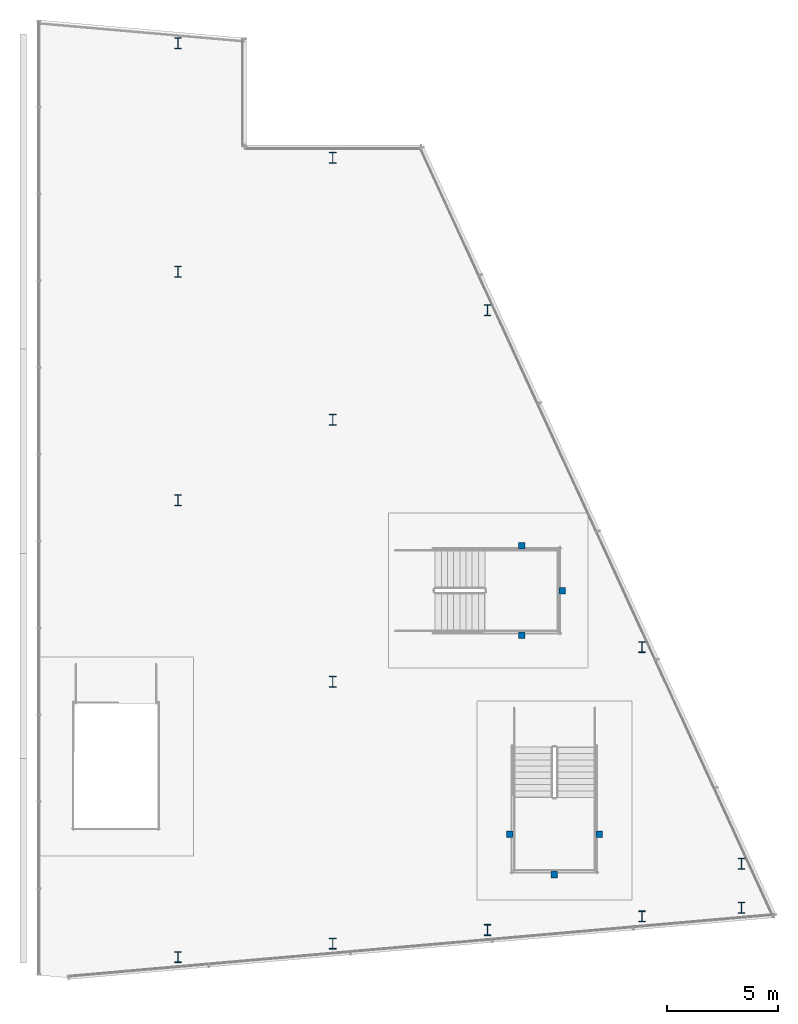
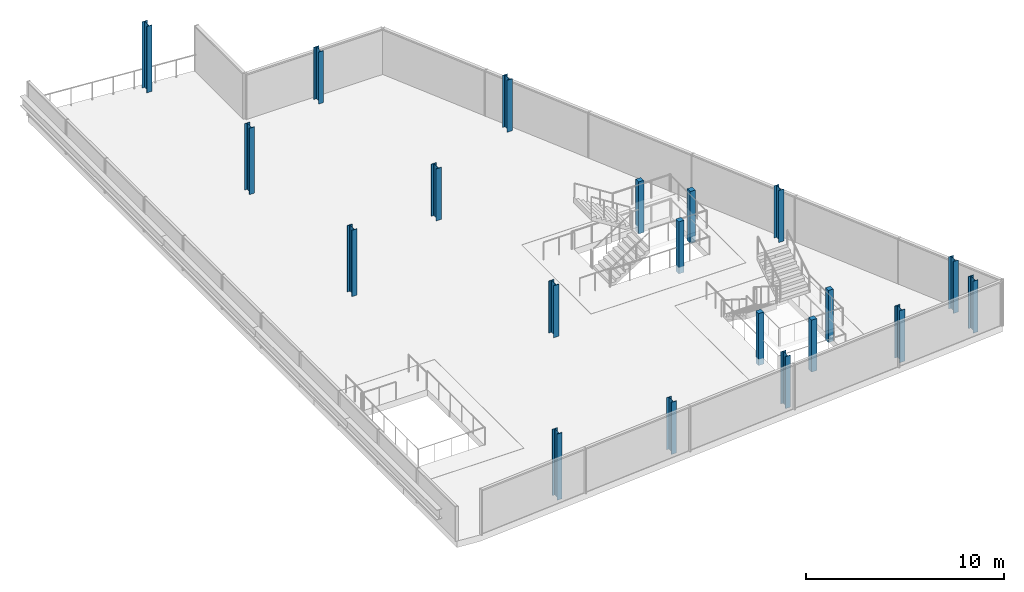
# One storey, part 1 of 9: 20 columns.
"""IFC4 building model written with IfcOpenShell, lengths in metres."""

from ifc_helpers import new_model, si_unit, direction, frame, origin, origin_2d, place, context, subcontext, project, spatial, rectangle, i_section, extrude, material, material_profile, profile_set, type_object, element, save


model = new_model("IFC4")

# Units and contexts
model_context = context("Model", 3, precision=1e-05, world=origin(), true_north=direction((0.0, 1.0)))
body_context = subcontext(model_context, "Body", "Model", "MODEL_VIEW")
ifc_project = project(units=[si_unit("LENGTHUNIT", "METRE"), si_unit("AREAUNIT", "SQUARE_METRE"), si_unit("VOLUMEUNIT", "CUBIC_METRE"), si_unit("PLANEANGLEUNIT", "RADIAN"), si_unit("MASSUNIT", "GRAM", prefix="KILO")], contexts=[model_context])

# Site, building, storey
site_placement = place(None, origin())
site = spatial("IfcSite", under=ifc_project, at=site_placement, CompositionType="ELEMENT")
building_placement = place(site_placement, origin())
building = spatial("IfcBuilding", under=site, at=building_placement, Name="Wharfspan Tower", CompositionType="ELEMENT")
storey_placement = place(building_placement, frame((0.0, 0.0, 270.699951)))
storey = spatial("IfcBuildingStorey", under=building, at=storey_placement, Name="L69", CompositionType="ELEMENT", Elevation=270.699951)

# Columns
ifc_material_1 = material(Name="Steel S355J2", Category="steel")
ifc_material_profile_1 = material_profile(ifc_material_1, i_section(OverallWidth=0.300049, OverallDepth=0.5, WebThickness=0.014404, FlangeThickness=0.028076, FilletRadius=0.0271, at=origin_2d()))
ifc_profile_set_1 = profile_set([ifc_material_profile_1], Name="Steel S355J2")
column_type_1 = type_object("IfcColumnType", Name="Crown column HEB 500", PredefinedType="COLUMN", material=ifc_profile_set_1)
for number, where, z_axis, x_axis, name in (
    (1, (51.0, 6.937744, 0.0), (0.0, 0.0, 1.0), (1.0, 0.0, 0.0), "Crown column CR5 7 L69"),
    (2, (51.0, 27.612549, 0.0), (0.0, 0.0, 1.0), (1.0, 0.0, 0.0), "Crown column CR5 28 L69"),
    (3, (51.0, 37.949951, 0.0), (0.0, 0.0, 1.0), (1.0, 0.0, 0.0), "Crown column CR5 38 L69"),
    (4, (51.0, 48.287354, 0.0), (0.0, 0.0, 1.0), (1.0, 0.0, 0.0), "Crown column CR5 48 L69"),
):
    element("IfcColumn", number, at=place(storey_placement, frame(where, z_axis=z_axis, x_axis=x_axis)), inside=storey, type_object=column_type_1, Name=name, PredefinedType="COLUMN", context=body_context, shape_type="SweptSolid", body=[
        extrude(i_section(OverallWidth=0.300049, OverallDepth=0.5, WebThickness=0.014404, FlangeThickness=0.028076, FilletRadius=0.0271, at=origin_2d()), origin(), (0.0, 0.0, 1.0), 4.078369),
    ])
for number, where, z_axis, x_axis, name in (
    (5, (58.0, 7.550293, 0.0), (0.0, 0.0, 1.0), (1.0, 0.0, 0.0), "Crown column CR6 8 L69"),
    (6, (58.0, 19.400146, 0.0), (0.0, 0.0, 1.0), (1.0, 0.0, 0.0), "Crown column CR6 19 L69"),
    (7, (58.0, 31.25, 0.0), (0.0, 0.0, 1.0), (1.0, 0.0, 0.0), "Crown column CR6 31 L69"),
    (8, (58.0, 43.100098, 0.0), (0.0, 0.0, 1.0), (1.0, 0.0, 0.0), "Crown column CR6 43 L69"),
    (9, (65.0, 8.162598, 0.0), (0.0, 0.0, 1.0), (1.0, 0.0, 0.0), "Crown column CR7 8 L69"),
    (10, (65.0, 36.211182, 0.0), (0.0, 0.0, 1.0), (1.0, 0.0, 0.0), "Crown column CR7 36 L69"),
    (11, (72.0, 8.775146, 0.0), (0.0, 0.0, 1.0), (1.0, 0.0, 0.0), "Crown column CR8 9 L69"),
    (12, (72.0, 20.966797, 0.0), (0.0, 0.0, 1.0), (1.0, 0.0, 0.0), "Crown column CR8 21 L69"),
    (13, (76.5, 9.168701, 0.0), (0.0, 0.0, 1.0), (1.0, 0.0, 0.0), "Crown column CR9 9 L69"),
    (14, (76.5, 11.166748, 0.0), (0.0, 0.0, 1.0), (1.0, 0.0, 0.0), "Crown column CR9 11 L69"),
):
    element("IfcColumn", number, at=place(storey_placement, frame(where, z_axis=z_axis, x_axis=x_axis)), inside=storey, type_object=column_type_1, Name=name, PredefinedType="COLUMN", context=body_context, shape_type="SweptSolid", body=[
        extrude(i_section(OverallWidth=0.300049, OverallDepth=0.5, WebThickness=0.014404, FlangeThickness=0.028076, FilletRadius=0.0271, at=origin_2d()), origin(), (0.0, 0.0, 1.0), 3.199951),
    ])
ifc_material_2 = material(Name="Concrete C40/50", Category="concrete")
ifc_material_profile_2 = material_profile(ifc_material_2, rectangle(XDim=0.300049, YDim=0.300049, at=origin_2d()))
ifc_profile_set_2 = profile_set([ifc_material_profile_2], Name="Concrete C40/50")
column_type_2 = type_object("IfcColumnType", Name="Open stair support post 300 C40/50", PredefinedType="COLUMN", material=ifc_profile_set_2)
for number, where, z_axis, x_axis, name in (
    (15, (66.006592, 12.501709, -0.399902), (0.0, 0.0, 1.0), (1.0, 0.0, 0.0), "Open stair support post L69"),
    (16, (70.056641, 12.501709, -0.399902), (0.0, 0.0, 1.0), (1.0, 0.0, 0.0), "Open stair support post L69"),
    (17, (68.031494, 10.671631, -0.399902), (0.0, 0.0, 1.0), (1.0, 0.0, 0.0), "Open stair support post L69"),
    (18, (66.551514, 21.496582, -0.399902), (0.0, 0.0, 1.0), (1.0, 0.0, 0.0), "Open stair support post L69"),
    (19, (66.551514, 25.546631, -0.399902), (0.0, 0.0, 1.0), (1.0, 0.0, 0.0), "Open stair support post L69"),
    (20, (68.381592, 23.521729, -0.399902), (0.0, 0.0, 1.0), (1.0, 0.0, 0.0), "Open stair support post L69"),
):
    element("IfcColumn", number, at=place(storey_placement, frame(where, z_axis=z_axis, x_axis=x_axis)), inside=storey, type_object=column_type_2, Name=name, PredefinedType="COLUMN", context=body_context, shape_type="SweptSolid", body=[
        extrude(rectangle(XDim=0.300049, YDim=0.300049, at=origin_2d()), origin(), (0.0, 0.0, 1.0), 3.199951),
    ])

save(model, "model.ifc")
